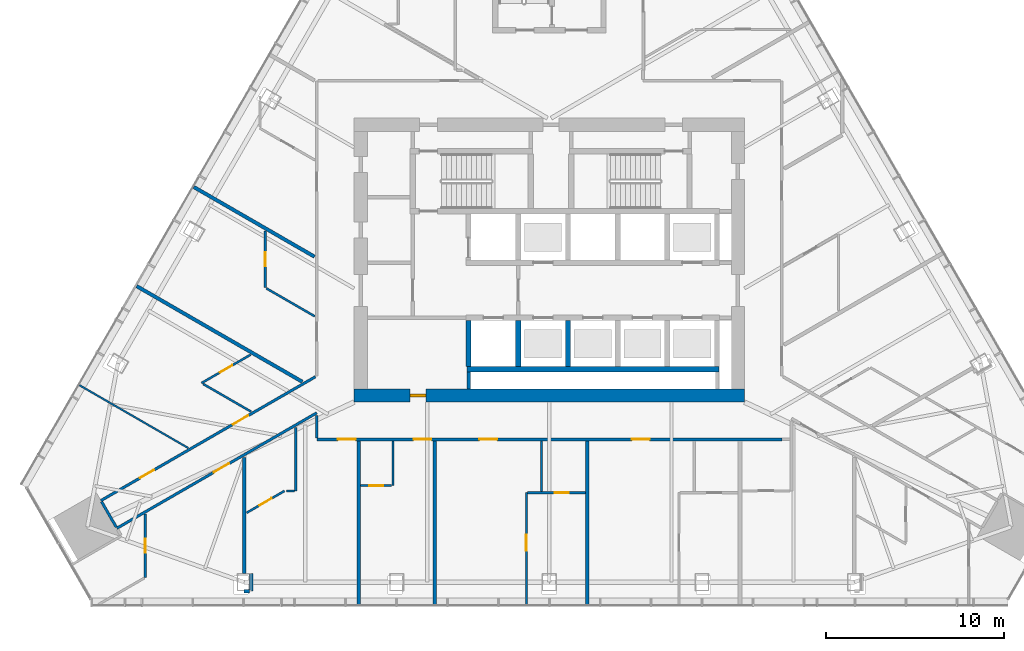
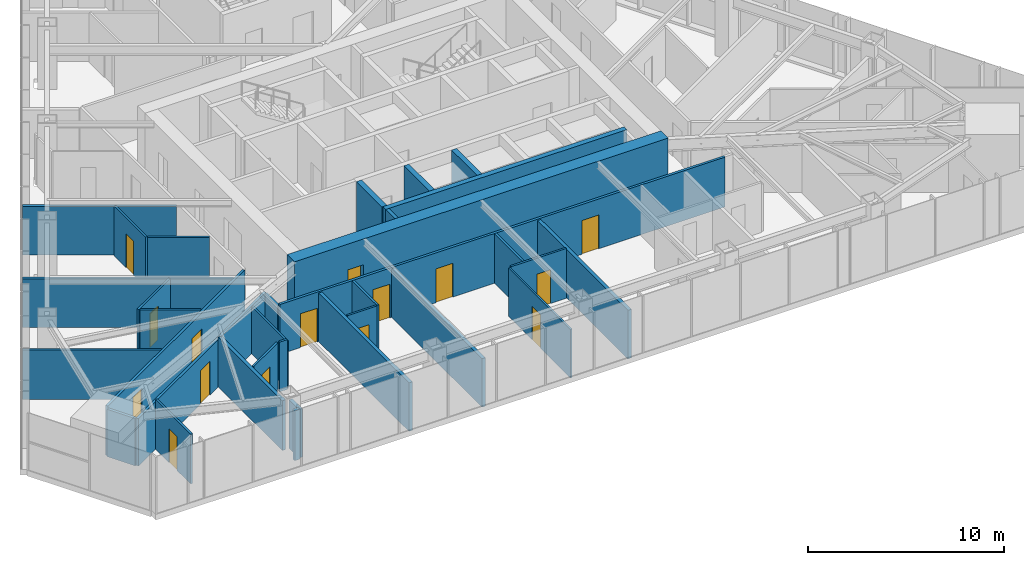
# One storey, part 10 of 16: 33 walls, 15 doors, 15 openings.
"""IFC4 building model written with IfcOpenShell, lengths in metres."""

from ifc_helpers import new_model, si_unit, direction, frame, frame_2d, origin, place, context, subcontext, project, spatial, rectangle, extrude, material, layer, layer_set, type_object, element, fill, save


model = new_model("IFC4")

# Units and contexts
model_context = context("Model", 3, precision=1e-05, world=origin(), true_north=direction((0.0, 1.0)))
body_context = subcontext(model_context, "Body", "Model", "MODEL_VIEW")
ifc_project = project(units=[si_unit("LENGTHUNIT", "METRE"), si_unit("AREAUNIT", "SQUARE_METRE"), si_unit("VOLUMEUNIT", "CUBIC_METRE"), si_unit("PLANEANGLEUNIT", "RADIAN"), si_unit("MASSUNIT", "GRAM", prefix="KILO")], contexts=[model_context])

# Site, building, storey
site_placement = place(None, origin())
site = spatial("IfcSite", under=ifc_project, at=site_placement, CompositionType="ELEMENT")
building_placement = place(site_placement, origin())
building = spatial("IfcBuilding", under=site, at=building_placement, Name="Firuza Gate Tower and Library", CompositionType="ELEMENT")
storey_placement = place(building_placement, frame((0.0, 0.0, 198.699951171875)))
storey = spatial("IfcBuildingStorey", under=building, at=storey_placement, Name="L46", CompositionType="ELEMENT", Elevation=198.699951171875)

# Walls
ifc_material_1 = material(Name="Plasterboard on steel studs", Category="steel")
ifc_layer_1 = layer(ifc_material_1, 0.199951171875)
ifc_layer_set_1 = layer_set([ifc_layer_1], Name="Core partition 200 EI 120")
wall_type_1 = type_object("IfcWallType", Name="Core partition 200 EI 120", PredefinedType="PARTITIONING", material=ifc_layer_set_1)
wall_1_placement = place(storey_placement, frame((70.449951171875, 67.75, 0.0), z_axis=(0.0, 0.0, 1.0), x_axis=(0.0, 1.0, 0.0)))
element("IfcWall", 1, at=wall_1_placement, inside=storey, type_object=wall_type_1, Name="Core partition L46 9", PredefinedType="PARTITIONING", context=body_context, shape_type="SweptSolid", body=[
    extrude(rectangle(XDim=0.949951171875, YDim=0.199951171875, at=frame_2d((0.47509765625, 0.0))), origin(), (0.0, 0.0, 1.0), 3.699951171875),
])
ifc_material_2 = material(Name="Concrete C80/95", Category="concrete")
ifc_layer_2 = layer(ifc_material_2, 0.300048828125)
ifc_layer_set_2 = layer_set([ifc_layer_2], Name="Core wall 300 C80/95")
wall_type_2 = type_object("IfcWallType", Name="Core wall 300 C80/95", PredefinedType="SHEAR", material=ifc_layer_set_2)
wall_2_placement = place(storey_placement, frame((70.35009765625, 68.85009765625, 0.0), z_axis=(0.0, 0.0, 1.0), x_axis=(1.0, 0.0, 0.0)))
element("IfcWall", 2, at=wall_2_placement, inside=storey, type_object=wall_type_2, Name="Core wall L46 5", PredefinedType="SHEAR", context=body_context, shape_type="SweptSolid", body=[
    extrude(rectangle(XDim=14.199951171875, YDim=0.300048828125, at=frame_2d((7.10009765625, 0.0))), origin(), (0.0, 0.0, 1.0), 3.699951171875),
])
for number, where, z_axis, x_axis, name in (
    (3, (70.449951171875, 69.0, 0.0), (0.0, 0.0, 1.0), (0.0, 1.0, 0.0), "Core wall L46 8"),
    (4, (73.25, 69.0, 0.0), (0.0, 0.0, 1.0), (0.0, 1.0, 0.0), "Core wall L46 10"),
    (5, (76.050048828125, 69.0, 0.0), (0.0, 0.0, 1.0), (0.0, 1.0, 0.0), "Core wall L46 12"),
):
    element("IfcWall", number, at=place(storey_placement, frame(where, z_axis=z_axis, x_axis=x_axis)), inside=storey, type_object=wall_type_2, Name=name, PredefinedType="SHEAR", context=body_context, shape_type="SweptSolid", body=[
        extrude(rectangle(XDim=2.60009765625, YDim=0.300048828125, at=frame_2d((1.300048828125, 0.0))), origin(), (0.0, 0.0, 1.0), 3.699951171875),
    ])

# Wall, opening, door
ifc_material_3 = material(Name="Concrete C80/95", Category="concrete")
ifc_layer_3 = layer(ifc_material_3, 0.75)
ifc_layer_set_3 = layer_set([ifc_layer_3], Name="Core wall 750 C80/95")
wall_type_3 = type_object("IfcWallType", Name="Core wall 750 C80/95", PredefinedType="SHEAR", material=ifc_layer_set_3)
wall_3_placement = place(storey_placement, frame((64.0, 67.375, 0.0), z_axis=(0.0, 0.0, 1.0), x_axis=(1.0, 0.0, 0.0)))
wall_3 = element("IfcWall", 6, at=wall_3_placement, inside=storey, type_object=wall_type_3, Name="Core wall L46 1", PredefinedType="SHEAR", context=body_context, shape_type="SweptSolid", body=[
    extrude(rectangle(XDim=22.0, YDim=0.75, at=frame_2d((11.0, 0.0))), origin(), (0.0, 0.0, 1.0), 3.699951171875),
])
opening_1_placement = place(wall_3_placement, frame((3.14990234375, 0.0, 0.0)))
opening_1 = element("IfcOpeningElement", 7, at=opening_1_placement, cuts=wall_3, Name="Opening L46-K22", PredefinedType="OPENING", context=body_context, shape_type="SweptSolid", body=[
    extrude(rectangle(XDim=0.89990234375, YDim=2.10009765625, at=frame_2d((0.449951171875, 1.050048828125))), frame((0.0, 0.385009765625, 0.0), z_axis=(0.0, -1.0, 0.0), x_axis=(1.0, 0.0, 0.0)), (0.0, 0.0, 1.0), 0.77001953125),
])
ifc_material_4 = material(Name="Steel", Category="steel")
door_type_1 = type_object("IfcDoorType", Name="Fire door 900x2100 FD30S", OperationType="NOTDEFINED", PredefinedType="DOOR", material=ifc_material_4)
door_1_placement = place(opening_1_placement, origin())
door_1 = element("IfcDoor", 8, at=door_1_placement, inside=storey, type_object=door_type_1, Name="Door L46-K22", OperationType="SINGLE_SWING_LEFT", OverallHeight=2.10009765625, OverallWidth=0.89990234375, PredefinedType="DOOR", context=body_context, shape_type="SweptSolid", body=[
    extrude(rectangle(XDim=0.89990234375, YDim=2.10009765625, at=frame_2d((0.449951171875, 1.050048828125))), frame((0.0, 0.094970703125, 0.0), z_axis=(0.0, -1.0, 0.0), x_axis=(1.0, 0.0, 0.0)), (0.0, 0.0, 1.0), 0.18994140625),
])
fill(opening_1, door_1)

# Wall, openings, doors
ifc_material_5 = material(Name="Gypsum board partition")
ifc_layer_4 = layer(ifc_material_5, 0.14990234375)
ifc_layer_set_4 = layer_set([ifc_layer_4], Name="Corridor wall 150 double board on steel studs")
wall_type_4 = type_object("IfcWallType", Name="Corridor wall 150 double board on steel studs", PredefinedType="PARTITIONING", material=ifc_layer_set_4)
wall_4_placement = place(storey_placement, frame((88.099609375, 64.89990234375, 0.0), z_axis=(0.0, 0.0, 1.0), x_axis=(-1.0, 0.0, 0.0)))
wall_4 = element("IfcWall", 9, at=wall_4_placement, inside=storey, type_object=wall_type_4, Name="f:L46:w007", PredefinedType="PARTITIONING", context=body_context, shape_type="SweptSolid", body=[
    extrude(rectangle(XDim=26.19970703125, YDim=0.14990234375, at=frame_2d((13.099853515625, 0.0))), origin(), (0.0, 0.0, 1.0), 3.10009765625),
])
opening_2_placement = place(wall_4_placement, frame((7.443359375, 0.0, 0.0)))
opening_2 = element("IfcOpeningElement", 10, at=opening_2_placement, cuts=wall_4, Name="Opening L46-05", PredefinedType="OPENING", context=body_context, shape_type="SweptSolid", body=[
    extrude(rectangle(XDim=1.0, YDim=2.10009765625, at=frame_2d((0.5, 1.050048828125))), frame((0.0, 0.0849609375, 0.0), z_axis=(0.0, -1.0, 0.0), x_axis=(1.0, 0.0, 0.0)), (0.0, 0.0, 1.0), 0.169921875),
])
opening_3_placement = place(wall_4_placement, frame((16.037109375, 0.0, 0.0)))
opening_3 = element("IfcOpeningElement", 11, at=opening_3_placement, cuts=wall_4, Name="Opening L46-06", PredefinedType="OPENING", context=body_context, shape_type="SweptSolid", body=[
    extrude(rectangle(XDim=1.0, YDim=2.10009765625, at=frame_2d((0.5, 1.050048828125))), frame((0.0, 0.0849609375, 0.0), z_axis=(0.0, -1.0, 0.0), x_axis=(1.0, 0.0, 0.0)), (0.0, 0.0, 1.0), 0.169921875),
])
opening_4_placement = place(wall_4_placement, frame((19.747314453125, 0.0, 0.0)))
opening_4 = element("IfcOpeningElement", 12, at=opening_4_placement, cuts=wall_4, Name="Opening L46-07", PredefinedType="OPENING", context=body_context, shape_type="SweptSolid", body=[
    extrude(rectangle(XDim=1.0, YDim=2.10009765625, at=frame_2d((0.5, 1.050048828125))), frame((0.0, 0.0849609375, 0.0), z_axis=(0.0, -1.0, 0.0), x_axis=(1.0, 0.0, 0.0)), (0.0, 0.0, 1.0), 0.169921875),
])
opening_5_placement = place(wall_4_placement, frame((24.0126953125, 0.0, 0.0)))
opening_5 = element("IfcOpeningElement", 13, at=opening_5_placement, cuts=wall_4, Name="Opening L46-08", PredefinedType="OPENING", context=body_context, shape_type="SweptSolid", body=[
    extrude(rectangle(XDim=1.0, YDim=2.10009765625, at=frame_2d((0.5, 1.050048828125))), frame((0.0, 0.0849609375, 0.0), z_axis=(0.0, -1.0, 0.0), x_axis=(1.0, 0.0, 0.0)), (0.0, 0.0, 1.0), 0.169921875),
])
ifc_material_6 = material(Name="Steel door and timber leaf", Category="steel")
door_type_2 = type_object("IfcDoorType", Name="Fire door 1000 x 2100 steel frame, timber leaf", OperationType="NOTDEFINED", PredefinedType="DOOR", material=ifc_material_6)
door_2_placement = place(opening_2_placement, origin())
door_2 = element("IfcDoor", 14, at=door_2_placement, inside=storey, type_object=door_type_2, Name="f:L46:d005", OperationType="SINGLE_SWING_LEFT", OverallHeight=2.10009765625, OverallWidth=1.0, PredefinedType="DOOR", context=body_context, shape_type="SweptSolid", body=[
    extrude(rectangle(XDim=1.0, YDim=2.10009765625, at=frame_2d((0.5, 1.050048828125))), frame((0.0, 0.02490234375, 0.0), z_axis=(0.0, -1.0, 0.0), x_axis=(1.0, 0.0, 0.0)), (0.0, 0.0, 1.0), 0.050048828125),
])
fill(opening_2, door_2)
door_3_placement = place(opening_3_placement, origin())
door_3 = element("IfcDoor", 15, at=door_3_placement, inside=storey, type_object=door_type_2, Name="f:L46:d006", OperationType="SINGLE_SWING_RIGHT", OverallHeight=2.10009765625, OverallWidth=1.0, PredefinedType="DOOR", context=body_context, shape_type="SweptSolid", body=[
    extrude(rectangle(XDim=1.0, YDim=2.10009765625, at=frame_2d((0.5, 1.050048828125))), frame((0.0, 0.02490234375, 0.0), z_axis=(0.0, -1.0, 0.0), x_axis=(1.0, 0.0, 0.0)), (0.0, 0.0, 1.0), 0.050048828125),
])
fill(opening_3, door_3)
door_4_placement = place(opening_4_placement, origin())
door_4 = element("IfcDoor", 16, at=door_4_placement, inside=storey, type_object=door_type_2, Name="f:L46:d007", OperationType="SINGLE_SWING_RIGHT", OverallHeight=2.10009765625, OverallWidth=1.0, PredefinedType="DOOR", context=body_context, shape_type="SweptSolid", body=[
    extrude(rectangle(XDim=1.0, YDim=2.10009765625, at=frame_2d((0.5, 1.050048828125))), frame((0.0, 0.02490234375, 0.0), z_axis=(0.0, -1.0, 0.0), x_axis=(1.0, 0.0, 0.0)), (0.0, 0.0, 1.0), 0.050048828125),
])
fill(opening_4, door_4)
door_5_placement = place(opening_5_placement, origin())
door_5 = element("IfcDoor", 17, at=door_5_placement, inside=storey, type_object=door_type_2, Name="f:L46:d008", OperationType="SINGLE_SWING_RIGHT", OverallHeight=2.10009765625, OverallWidth=1.0, PredefinedType="DOOR", context=body_context, shape_type="SweptSolid", body=[
    extrude(rectangle(XDim=1.0, YDim=2.10009765625, at=frame_2d((0.5, 1.050048828125))), frame((0.0, 0.02490234375, 0.0), z_axis=(0.0, -1.0, 0.0), x_axis=(1.0, 0.0, 0.0)), (0.0, 0.0, 1.0), 0.050048828125),
])
fill(opening_5, door_5)

# Wall, opening, door
wall_5_placement = place(storey_placement, frame((61.89990234375, 66.3974609375, 0.0), z_axis=(0.0, 0.0, 1.0), x_axis=(-0.866028610752, -0.499994445327, 0.0)))
wall_5 = element("IfcWall", 18, at=wall_5_placement, inside=storey, type_object=wall_type_4, Name="f:L46:w028", PredefinedType="PARTITIONING", context=body_context, shape_type="SweptSolid", body=[
    extrude(rectangle(XDim=13.001708984375, YDim=0.14990234375, at=frame_2d((6.5009765625, 0.0))), origin(), (0.0, 0.0, 1.0), 2.947021484375),
])
opening_6_placement = place(wall_5_placement, frame((5.701171875, 0.0, 0.0)))
opening_6 = element("IfcOpeningElement", 19, at=opening_6_placement, cuts=wall_5, Name="Opening L46-16", PredefinedType="OPENING", context=body_context, shape_type="SweptSolid", body=[
    extrude(rectangle(XDim=1.0, YDim=2.10009765625, at=frame_2d((0.5, 1.050048828125))), frame((0.0, 0.0849609375, 0.0), z_axis=(0.0, -1.0, 0.0), x_axis=(1.0, 0.0, 0.0)), (0.0, 0.0, 1.0), 0.169921875),
])
door_6_placement = place(opening_6_placement, origin())
door_6 = element("IfcDoor", 20, at=door_6_placement, inside=storey, type_object=door_type_2, Name="f:L46:d016", OperationType="SINGLE_SWING_RIGHT", OverallHeight=2.10009765625, OverallWidth=1.0, PredefinedType="DOOR", context=body_context, shape_type="SweptSolid", body=[
    extrude(rectangle(XDim=1.0, YDim=2.10009765625, at=frame_2d((0.5, 1.050048828125))), frame((0.0, 0.02490234375, 0.0), z_axis=(0.0, -1.0, 0.0), x_axis=(1.0, 0.0, 0.0)), (0.0, 0.0, 1.0), 0.050048828125),
])
fill(opening_6, door_6)

# Wall, openings, doors
wall_6_placement = place(storey_placement, frame((49.740478515625, 61.455810546875, 0.0), z_axis=(0.0, 0.0, 1.0), x_axis=(0.866030582951, 0.499991029314, 0.0)))
wall_6 = element("IfcWall", 21, at=wall_6_placement, inside=storey, type_object=wall_type_4, Name="f:L46:w029", PredefinedType="PARTITIONING", context=body_context, shape_type="SweptSolid", body=[
    extrude(rectangle(XDim=13.953857421875, YDim=0.14990234375, at=frame_2d((6.97705078125, 0.0))), origin(), (0.0, 0.0, 1.0), 3.10009765625),
])
opening_7_placement = place(wall_6_placement, frame((2.5517578125, 0.0, 0.0)))
opening_7 = element("IfcOpeningElement", 22, at=opening_7_placement, cuts=wall_6, Name="Opening L46-17", PredefinedType="OPENING", context=body_context, shape_type="SweptSolid", body=[
    extrude(rectangle(XDim=0.89990234375, YDim=2.10009765625, at=frame_2d((0.449951171875, 1.050048828125))), frame((0.0, 0.0849609375, 0.0), z_axis=(0.0, -1.0, 0.0), x_axis=(1.0, 0.0, 0.0)), (0.0, 0.0, 1.0), 0.169921875),
])
opening_8_placement = place(wall_6_placement, frame((8.578857421875, 0.0, 0.0)))
opening_8 = element("IfcOpeningElement", 23, at=opening_8_placement, cuts=wall_6, Name="Opening L46-18", PredefinedType="OPENING", context=body_context, shape_type="SweptSolid", body=[
    extrude(rectangle(XDim=1.0, YDim=2.10009765625, at=frame_2d((0.5, 1.050048828125))), frame((0.0, 0.0849609375, 0.0), z_axis=(0.0, -1.0, 0.0), x_axis=(1.0, 0.0, 0.0)), (0.0, 0.0, 1.0), 0.169921875),
])
door_7_placement = place(opening_8_placement, origin())
door_7 = element("IfcDoor", 24, at=door_7_placement, inside=storey, type_object=door_type_2, Name="f:L46:d018", OperationType="SINGLE_SWING_RIGHT", OverallHeight=2.10009765625, OverallWidth=1.0, PredefinedType="DOOR", context=body_context, shape_type="SweptSolid", body=[
    extrude(rectangle(XDim=1.0, YDim=2.10009765625, at=frame_2d((0.5, 1.050048828125))), frame((0.0, 0.02490234375, 0.0), z_axis=(0.0, -1.0, 0.0), x_axis=(1.0, 0.0, 0.0)), (0.0, 0.0, 1.0), 0.050048828125),
])
fill(opening_8, door_7)
ifc_material_7 = material(Name="Steel door and timber leaf", Category="steel")
door_type_3 = type_object("IfcDoorType", Name="Fire door 900 x 2100 steel frame, timber leaf", OperationType="NOTDEFINED", PredefinedType="DOOR", material=ifc_material_7)
door_8_placement = place(opening_7_placement, origin())
door_8 = element("IfcDoor", 25, at=door_8_placement, inside=storey, type_object=door_type_3, Name="f:L46:d017", OperationType="SINGLE_SWING_RIGHT", OverallHeight=2.10009765625, OverallWidth=0.89990234375, PredefinedType="DOOR", context=body_context, shape_type="SweptSolid", body=[
    extrude(rectangle(XDim=0.89990234375, YDim=2.10009765625, at=frame_2d((0.449951171875, 1.050048828125))), frame((0.0, 0.02490234375, 0.0), z_axis=(0.0, -1.0, 0.0), x_axis=(1.0, 0.0, 0.0)), (0.0, 0.0, 1.0), 0.050048828125),
])
fill(opening_7, door_8)

# Walls
wall_7_placement = place(storey_placement, frame((61.89990234375, 64.97509765625, 0.0), z_axis=(0.0, 0.0, 1.0), x_axis=(0.0, 1.0, 0.0)))
element("IfcWall", 26, at=wall_7_placement, inside=storey, type_object=wall_type_4, Name="f:L46:w063", PredefinedType="PARTITIONING", context=body_context, shape_type="SweptSolid", body=[
    extrude(rectangle(XDim=1.285888671875, YDim=0.14990234375, at=frame_2d((0.64306640625, 0.0))), origin(), (0.0, 0.0, 1.0), 2.947021484375),
])
wall_8_placement = place(storey_placement, frame((50.6025390625, 59.961669921875, 0.0), z_axis=(0.0, 0.0, 1.0), x_axis=(-0.499991515992, 0.866030301974, 0.0)))
element("IfcWall", 27, at=wall_8_placement, inside=storey, type_object=wall_type_4, Name="f:L46:w096", PredefinedType="PARTITIONING", context=body_context, shape_type="SweptSolid", body=[
    extrude(rectangle(XDim=1.6494140625, YDim=0.14990234375, at=frame_2d((0.82470703125, 0.0))), origin(), (0.0, 0.0, 1.0), 2.947021484375),
])
ifc_material_8 = material(Name="Gypsum board partition")
ifc_layer_5 = layer(ifc_material_8, 0.199951171875)
ifc_layer_set_5 = layer_set([ifc_layer_5], Name="Demising wall 200 acoustic double stud")
wall_type_5 = type_object("IfcWallType", Name="Demising wall 200 acoustic double stud", PredefinedType="PARTITIONING", material=ifc_layer_set_5)
wall_9_placement = place(storey_placement, frame((57.8125, 56.35791015625, 0.0), z_axis=(0.0, 0.0, 1.0), x_axis=(1.0, 0.0, 0.0)))
element("IfcWall", 28, at=wall_9_placement, inside=storey, type_object=wall_type_5, Name="f:L46:w000", PredefinedType="PARTITIONING", context=body_context, shape_type="SweptSolid", body=[
    extrude(rectangle(XDim=0.300048828125, YDim=0.199951171875, at=frame_2d((0.14990234375, 0.0))), origin(), (0.0, 0.0, 1.0), 3.10009765625),
])
for number, where, z_axis, x_axis, name in (
    (29, (77.14794921875, 55.598388671875, 0.0), (0.0, 0.0, 1.0), (0.0, 1.0, 0.0), "f:L46:w052"),
    (30, (68.554931640625, 55.598388671875, 0.0), (0.0, 0.0, 1.0), (0.0, 1.0, 0.0), "f:L46:w059"),
    (31, (64.258056640625, 55.598388671875, 0.0), (0.0, 0.0, 1.0), (0.0, 1.0, 0.0), "f:L46:w062"),
):
    element("IfcWall", number, at=place(storey_placement, frame(where, z_axis=z_axis, x_axis=x_axis)), inside=storey, type_object=wall_type_5, Name=name, PredefinedType="PARTITIONING", context=body_context, shape_type="SweptSolid", body=[
        extrude(rectangle(XDim=9.2265625, YDim=0.199951171875, at=frame_2d((4.61328125, 0.0))), origin(), (0.0, 0.0, 1.0), 3.02197265625),
    ])
wall_10_placement = place(storey_placement, frame((58.212890625, 56.3583984375, 0.0), z_axis=(0.0, 0.0, 1.0), x_axis=(0.0, 1.0, 0.0)))
element("IfcWall", 32, at=wall_10_placement, inside=storey, type_object=wall_type_5, Name="f:L46:w069", PredefinedType="PARTITIONING", context=body_context, shape_type="SweptSolid", body=[
    extrude(rectangle(XDim=1.0, YDim=0.199951171875, at=frame_2d((0.5, 0.0))), origin(), (0.0, 0.0, 1.0), 3.02197265625),
])
wall_11_placement = place(storey_placement, frame((57.81298828125, 57.3583984375, 0.0), z_axis=(0.0, 0.0, 1.0), x_axis=(0.0, 1.0, 0.0)))
element("IfcWall", 33, at=wall_11_placement, inside=storey, type_object=wall_type_5, Name="f:L46:w070", PredefinedType="PARTITIONING", context=body_context, shape_type="SweptSolid", body=[
    extrude(rectangle(XDim=6.532470703125, YDim=0.199951171875, at=frame_2d((3.26611328125, 0.0))), origin(), (0.0, 0.0, 1.0), 3.10009765625),
])
wall_12_placement = place(storey_placement, frame((61.773193359375, 75.194580078125, 0.0), z_axis=(0.0, 0.0, 1.0), x_axis=(-0.866029689717, 0.499992576473, 0.0)))
element("IfcWall", 34, at=wall_12_placement, inside=storey, type_object=wall_type_5, Name="f:L46:w090", PredefinedType="PARTITIONING", context=body_context, shape_type="SweptSolid", body=[
    extrude(rectangle(XDim=7.849609375, YDim=0.199951171875, at=frame_2d((3.9248046875, 0.0))), origin(), (0.0, 0.0, 1.0), 3.02197265625),
])
wall_13_placement = place(storey_placement, frame((61.082275390625, 68.150146484375, 0.0), z_axis=(0.0, 0.0, 1.0), x_axis=(-0.866015766609, 0.500016691706, 0.0)))
element("IfcWall", 35, at=wall_13_placement, inside=storey, type_object=wall_type_5, Name="f:L46:w092", PredefinedType="PARTITIONING", context=body_context, shape_type="SweptSolid", body=[
    extrude(rectangle(XDim=10.773681640625, YDim=0.199951171875, at=frame_2d((5.38671875, 0.0))), origin(), (0.0, 0.0, 1.0), 3.02197265625),
])

# Wall, opening, door
ifc_material_9 = material(Name="Gypsum board partition")
ifc_layer_6 = layer(ifc_material_9, 0.10009765625)
ifc_layer_set_6 = layer_set([ifc_layer_6], Name="Partition 100 gypsum board on steel studs")
wall_type_6 = type_object("IfcWallType", Name="Partition 100 gypsum board on steel studs", PredefinedType="PARTITIONING", material=ifc_layer_set_6)
wall_14_placement = place(storey_placement, frame((73.7109375, 61.89990234375, 0.0), z_axis=(0.0, 0.0, 1.0), x_axis=(0.0, -1.0, 0.0)))
wall_14 = element("IfcWall", 36, at=wall_14_placement, inside=storey, type_object=wall_type_6, Name="f:L46:w056", PredefinedType="PARTITIONING", context=body_context, shape_type="SweptSolid", body=[
    extrude(rectangle(XDim=6.301513671875, YDim=0.10009765625, at=frame_2d((3.15087890625, 0.0))), origin(), (0.0, 0.0, 1.0), 3.02197265625),
])
opening_9_placement = place(wall_14_placement, frame((2.370849609375, 0.0, 0.0)))
opening_9 = element("IfcOpeningElement", 37, at=opening_9_placement, cuts=wall_14, Name="Opening L46-30", PredefinedType="OPENING", context=body_context, shape_type="SweptSolid", body=[
    extrude(rectangle(XDim=0.89990234375, YDim=2.10009765625, at=frame_2d((0.449951171875, 1.050048828125))), frame((0.0, 0.06005859375, 0.0), z_axis=(0.0, -1.0, 0.0), x_axis=(1.0, 0.0, 0.0)), (0.0, 0.0, 1.0), 0.1201171875),
])
ifc_material_10 = material(Name="Timber door", Category="wood")
door_type_4 = type_object("IfcDoorType", Name="Door 900 x 2100 timber leaf", OperationType="NOTDEFINED", PredefinedType="DOOR", material=ifc_material_10)
door_9_placement = place(opening_9_placement, origin())
door_9 = element("IfcDoor", 38, at=door_9_placement, inside=storey, type_object=door_type_4, Name="f:L46:d030", OperationType="SINGLE_SWING_LEFT", OverallHeight=2.10009765625, OverallWidth=0.89990234375, PredefinedType="DOOR", context=body_context, shape_type="SweptSolid", body=[
    extrude(rectangle(XDim=0.89990234375, YDim=2.10009765625, at=frame_2d((0.449951171875, 1.050048828125))), frame((0.0, 0.02490234375, 0.0), z_axis=(0.0, -1.0, 0.0), x_axis=(1.0, 0.0, 0.0)), (0.0, 0.0, 1.0), 0.050048828125),
])
fill(opening_9, door_9)

# Wall
wall_15_placement = place(storey_placement, frame((54.6630859375, 64.414306640625, 0.0), z_axis=(0.0, 0.0, 1.0), x_axis=(-0.866013364391, 0.500020852261, 0.0)))
element("IfcWall", 39, at=wall_15_placement, inside=storey, type_object=wall_type_6, Name="f:L46:w094", PredefinedType="PARTITIONING", context=body_context, shape_type="SweptSolid", body=[
    extrude(rectangle(XDim=7.082275390625, YDim=0.10009765625, at=frame_2d((3.541015625, 0.0))), origin(), (0.0, 0.0, 1.0), 3.10009765625),
])

# Wall, opening, door
ifc_material_11 = material(Name="Gypsum board partition")
ifc_layer_7 = layer(ifc_material_11, 0.1201171875)
ifc_layer_set_7 = layer_set([ifc_layer_7], Name="Wet-area partition 120 moisture-resistant board")
wall_type_7 = type_object("IfcWallType", Name="Wet-area partition 120 moisture-resistant board", PredefinedType="PARTITIONING", material=ifc_layer_set_7)
wall_16_placement = place(storey_placement, frame((73.77099609375, 61.89990234375, 0.0), z_axis=(0.0, 0.0, 1.0), x_axis=(1.0, 0.0, 0.0)))
wall_16 = element("IfcWall", 40, at=wall_16_placement, inside=storey, type_object=wall_type_7, Name="f:L46:w002", PredefinedType="PARTITIONING", context=body_context, shape_type="SweptSolid", body=[
    extrude(rectangle(XDim=3.267333984375, YDim=0.1201171875, at=frame_2d((1.6337890625, 0.0))), origin(), (0.0, 0.0, 1.0), 3.10009765625),
])
opening_10_placement = place(wall_16_placement, frame((1.533447265625, 0.0, 0.0)))
opening_10 = element("IfcOpeningElement", 41, at=opening_10_placement, cuts=wall_16, Name="Opening L46-01", PredefinedType="OPENING", context=body_context, shape_type="SweptSolid", body=[
    extrude(rectangle(XDim=0.800048828125, YDim=2.10009765625, at=frame_2d((0.39990234375, 1.050048828125))), frame((0.0, 0.070068359375, 0.0), z_axis=(0.0, -1.0, 0.0), x_axis=(1.0, 0.0, 0.0)), (0.0, 0.0, 1.0), 0.14013671875),
])
ifc_material_12 = material(Name="Timber door", Category="wood")
door_type_5 = type_object("IfcDoorType", Name="Door 800 x 2100 timber leaf", OperationType="NOTDEFINED", PredefinedType="DOOR", material=ifc_material_12)
door_10_placement = place(opening_10_placement, origin())
door_10 = element("IfcDoor", 42, at=door_10_placement, inside=storey, type_object=door_type_5, Name="f:L46:d001", OperationType="SINGLE_SWING_LEFT", OverallHeight=2.10009765625, OverallWidth=0.800048828125, PredefinedType="DOOR", context=body_context, shape_type="SweptSolid", body=[
    extrude(rectangle(XDim=0.800048828125, YDim=2.10009765625, at=frame_2d((0.39990234375, 1.050048828125))), frame((0.0, 0.02490234375, 0.0), z_axis=(0.0, -1.0, 0.0), x_axis=(1.0, 0.0, 0.0)), (0.0, 0.0, 1.0), 0.050048828125),
])
fill(opening_10, door_10)

# Wall
wall_17_placement = place(storey_placement, frame((60.203369140625, 62.0, 0.0), z_axis=(0.0, 0.0, 1.0), x_axis=(1.0, 0.0, 0.0)))
element("IfcWall", 43, at=wall_17_placement, inside=storey, type_object=wall_type_7, Name="f:L46:w004", PredefinedType="PARTITIONING", context=body_context, shape_type="SweptSolid", body=[
    extrude(rectangle(XDim=0.449462890625, YDim=0.1201171875, at=frame_2d((0.224609375, 0.0))), origin(), (0.0, 0.0, 1.0), 3.10009765625),
])

# Wall, opening, door
wall_18_placement = place(storey_placement, frame((64.367919921875, 62.300048828125, 0.0), z_axis=(0.0, 0.0, 1.0), x_axis=(1.0, 0.0, 0.0)))
wall_18 = element("IfcWall", 44, at=wall_18_placement, inside=storey, type_object=wall_type_7, Name="f:L46:w006", PredefinedType="PARTITIONING", context=body_context, shape_type="SweptSolid", body=[
    extrude(rectangle(XDim=1.75341796875, YDim=0.1201171875, at=frame_2d((0.876708984375, 0.0))), origin(), (0.0, 0.0, 1.0), 3.10009765625),
])
opening_11_placement = place(wall_18_placement, frame((0.476806640625, 0.0, 0.0)))
opening_11 = element("IfcOpeningElement", 45, at=opening_11_placement, cuts=wall_18, Name="Opening L46-04", PredefinedType="OPENING", context=body_context, shape_type="SweptSolid", body=[
    extrude(rectangle(XDim=0.800048828125, YDim=2.10009765625, at=frame_2d((0.39990234375, 1.050048828125))), frame((0.0, 0.070068359375, 0.0), z_axis=(0.0, -1.0, 0.0), x_axis=(1.0, 0.0, 0.0)), (0.0, 0.0, 1.0), 0.14013671875),
])
door_11_placement = place(opening_11_placement, origin())
door_11 = element("IfcDoor", 46, at=door_11_placement, inside=storey, type_object=door_type_5, Name="f:L46:d004", OperationType="SINGLE_SWING_RIGHT", OverallHeight=2.10009765625, OverallWidth=0.800048828125, PredefinedType="DOOR", context=body_context, shape_type="SweptSolid", body=[
    extrude(rectangle(XDim=0.800048828125, YDim=2.10009765625, at=frame_2d((0.39990234375, 1.050048828125))), frame((0.0, 0.02490234375, 0.0), z_axis=(0.0, -1.0, 0.0), x_axis=(1.0, 0.0, 0.0)), (0.0, 0.0, 1.0), 0.050048828125),
])
fill(opening_11, door_11)

wall_19_placement = place(storey_placement, frame((57.947021484375, 60.766845703125, 0.0), z_axis=(0.0, 0.0, 1.0), x_axis=(0.866060325455, 0.499939509014, 0.0)))
wall_19 = element("IfcWall", 47, at=wall_19_placement, inside=storey, type_object=wall_type_7, Name="f:L46:w025", PredefinedType="PARTITIONING", context=body_context, shape_type="SweptSolid", body=[
    extrude(rectangle(XDim=2.466552734375, YDim=0.1201171875, at=frame_2d((1.2333984375, 0.0))), origin(), (0.0, 0.0, 1.0), 3.10009765625),
])
opening_12_placement = place(wall_19_placement, frame((0.833251953125, 0.0, 0.0)))
opening_12 = element("IfcOpeningElement", 48, at=opening_12_placement, cuts=wall_19, Name="Opening L46-15", PredefinedType="OPENING", context=body_context, shape_type="SweptSolid", body=[
    extrude(rectangle(XDim=0.800048828125, YDim=2.10009765625, at=frame_2d((0.39990234375, 1.050048828125))), frame((0.0, 0.070068359375, 0.0), z_axis=(0.0, -1.0, 0.0), x_axis=(1.0, 0.0, 0.0)), (0.0, 0.0, 1.0), 0.14013671875),
])
door_12_placement = place(opening_12_placement, origin())
door_12 = element("IfcDoor", 49, at=door_12_placement, inside=storey, type_object=door_type_5, Name="f:L46:d015", OperationType="SINGLE_SWING_RIGHT", OverallHeight=2.10009765625, OverallWidth=0.800048828125, PredefinedType="DOOR", context=body_context, shape_type="SweptSolid", body=[
    extrude(rectangle(XDim=0.800048828125, YDim=2.10009765625, at=frame_2d((0.39990234375, 1.050048828125))), frame((0.0, 0.02490234375, 0.0), z_axis=(0.0, -1.0, 0.0), x_axis=(1.0, 0.0, 0.0)), (0.0, 0.0, 1.0), 0.050048828125),
])
fill(opening_12, door_12)

wall_20_placement = place(storey_placement, frame((58.1748046875, 69.673828125, 0.0), z_axis=(0.0, 0.0, 1.0), x_axis=(-0.866051923801, -0.49995406317, 0.0)))
wall_20 = element("IfcWall", 50, at=wall_20_placement, inside=storey, type_object=wall_type_7, Name="f:L46:w031", PredefinedType="PARTITIONING", context=body_context, shape_type="SweptSolid", body=[
    extrude(rectangle(XDim=3.193603515625, YDim=0.1201171875, at=frame_2d((1.5966796875, 0.0))), origin(), (0.0, 0.0, 1.0), 3.10009765625),
])
opening_13_placement = place(wall_20_placement, frame((1.19677734375, 0.0, 0.0)))
opening_13 = element("IfcOpeningElement", 51, at=opening_13_placement, cuts=wall_20, Name="Opening L46-19", PredefinedType="OPENING", context=body_context, shape_type="SweptSolid", body=[
    extrude(rectangle(XDim=0.800048828125, YDim=2.10009765625, at=frame_2d((0.39990234375, 1.050048828125))), frame((0.0, 0.070068359375, 0.0), z_axis=(0.0, -1.0, 0.0), x_axis=(1.0, 0.0, 0.0)), (0.0, 0.0, 1.0), 0.14013671875),
])
door_13_placement = place(opening_13_placement, origin())
door_13 = element("IfcDoor", 52, at=door_13_placement, inside=storey, type_object=door_type_5, Name="f:L46:d019", OperationType="SINGLE_SWING_RIGHT", OverallHeight=2.10009765625, OverallWidth=0.800048828125, PredefinedType="DOOR", context=body_context, shape_type="SweptSolid", body=[
    extrude(rectangle(XDim=0.800048828125, YDim=2.10009765625, at=frame_2d((0.39990234375, 1.050048828125))), frame((0.0, 0.02490234375, 0.0), z_axis=(0.0, -1.0, 0.0), x_axis=(1.0, 0.0, 0.0)), (0.0, 0.0, 1.0), 0.050048828125),
])
fill(opening_13, door_13)

# Walls
wall_21_placement = place(storey_placement, frame((74.570068359375, 61.9599609375, 0.0), z_axis=(0.0, 0.0, 1.0), x_axis=(0.0, 1.0, 0.0)))
element("IfcWall", 53, at=wall_21_placement, inside=storey, type_object=wall_type_7, Name="f:L46:w054", PredefinedType="PARTITIONING", context=body_context, shape_type="SweptSolid", body=[
    extrude(rectangle(XDim=2.864990234375, YDim=0.1201171875, at=frame_2d((1.4326171875, 0.0))), origin(), (0.0, 0.0, 1.0), 3.10009765625),
])
wall_22_placement = place(storey_placement, frame((66.19091796875, 62.300048828125, 0.0), z_axis=(0.0, 0.0, 1.0), x_axis=(0.0, 1.0, 0.0)))
element("IfcWall", 54, at=wall_22_placement, inside=storey, type_object=wall_type_7, Name="f:L46:w061", PredefinedType="PARTITIONING", context=body_context, shape_type="SweptSolid", body=[
    extrude(rectangle(XDim=2.52490234375, YDim=0.1201171875, at=frame_2d((1.262451171875, 0.0))), origin(), (0.0, 0.0, 1.0), 3.10009765625),
])
wall_23_placement = place(storey_placement, frame((60.712890625, 62.0, 0.0), z_axis=(0.0, 0.0, 1.0), x_axis=(0.0, 1.0, 0.0)))
element("IfcWall", 55, at=wall_23_placement, inside=storey, type_object=wall_type_7, Name="f:L46:w065", PredefinedType="PARTITIONING", context=body_context, shape_type="SweptSolid", body=[
    extrude(rectangle(XDim=3.58544921875, YDim=0.1201171875, at=frame_2d((1.792724609375, 0.0))), origin(), (0.0, 0.0, 1.0), 2.947021484375),
])

# Wall, opening, door
wall_24_placement = place(storey_placement, frame((59.0, 76.6396484375, 0.0), z_axis=(0.0, 0.0, 1.0), x_axis=(0.0, -1.0, 0.0)))
wall_24 = element("IfcWall", 56, at=wall_24_placement, inside=storey, type_object=wall_type_7, Name="f:L46:w066", PredefinedType="PARTITIONING", context=body_context, shape_type="SweptSolid", body=[
    extrude(rectangle(XDim=3.193603515625, YDim=0.1201171875, at=frame_2d((1.5966796875, 0.0))), origin(), (0.0, 0.0, 1.0), 3.10009765625),
])
opening_14_placement = place(wall_24_placement, frame((1.19677734375, 0.0, 0.0)))
opening_14 = element("IfcOpeningElement", 57, at=opening_14_placement, cuts=wall_24, Name="Opening L46-35", PredefinedType="OPENING", context=body_context, shape_type="SweptSolid", body=[
    extrude(rectangle(XDim=0.800048828125, YDim=2.10009765625, at=frame_2d((0.39990234375, 1.050048828125))), frame((0.0, 0.070068359375, 0.0), z_axis=(0.0, -1.0, 0.0), x_axis=(1.0, 0.0, 0.0)), (0.0, 0.0, 1.0), 0.14013671875),
])
door_14_placement = place(opening_14_placement, origin())
door_14 = element("IfcDoor", 58, at=door_14_placement, inside=storey, type_object=door_type_5, Name="f:L46:d035", OperationType="SINGLE_SWING_RIGHT", OverallHeight=2.10009765625, OverallWidth=0.800048828125, PredefinedType="DOOR", context=body_context, shape_type="SweptSolid", body=[
    extrude(rectangle(XDim=0.800048828125, YDim=2.10009765625, at=frame_2d((0.39990234375, 1.050048828125))), frame((0.0, 0.02490234375, 0.0), z_axis=(0.0, -1.0, 0.0), x_axis=(1.0, 0.0, 0.0)), (0.0, 0.0, 1.0), 0.050048828125),
])
fill(opening_14, door_14)

wall_25_placement = place(storey_placement, frame((52.239013671875, 57.12451171875, 0.0), z_axis=(0.0, 0.0, 1.0), x_axis=(0.0, 1.0, 0.0)))
wall_25 = element("IfcWall", 59, at=wall_25_placement, inside=storey, type_object=wall_type_7, Name="f:L46:w071", PredefinedType="PARTITIONING", context=body_context, shape_type="SweptSolid", body=[
    extrude(rectangle(XDim=3.568603515625, YDim=0.1201171875, at=frame_2d((1.7841796875, 0.0))), origin(), (0.0, 0.0, 1.0), 3.10009765625),
])
opening_15_placement = place(wall_25_placement, frame((1.38427734375, 0.0, 0.0)))
opening_15 = element("IfcOpeningElement", 60, at=opening_15_placement, cuts=wall_25, Name="Opening L46-36", PredefinedType="OPENING", context=body_context, shape_type="SweptSolid", body=[
    extrude(rectangle(XDim=0.800048828125, YDim=2.10009765625, at=frame_2d((0.39990234375, 1.050048828125))), frame((0.0, 0.070068359375, 0.0), z_axis=(0.0, -1.0, 0.0), x_axis=(1.0, 0.0, 0.0)), (0.0, 0.0, 1.0), 0.14013671875),
])
door_15_placement = place(opening_15_placement, origin())
door_15 = element("IfcDoor", 61, at=door_15_placement, inside=storey, type_object=door_type_5, Name="f:L46:d036", OperationType="SINGLE_SWING_RIGHT", OverallHeight=2.10009765625, OverallWidth=0.800048828125, PredefinedType="DOOR", context=body_context, shape_type="SweptSolid", body=[
    extrude(rectangle(XDim=0.800048828125, YDim=2.10009765625, at=frame_2d((0.39990234375, 1.050048828125))), frame((0.0, 0.02490234375, 0.0), z_axis=(0.0, -1.0, 0.0), x_axis=(1.0, 0.0, 0.0)), (0.0, 0.0, 1.0), 0.050048828125),
])
fill(opening_15, door_15)

# Walls
wall_26_placement = place(storey_placement, frame((61.790283203125, 71.8349609375, 0.0), z_axis=(0.0, 0.0, 1.0), x_axis=(-0.866028267601, 0.499995039691, 0.0)))
element("IfcWall", 62, at=wall_26_placement, inside=storey, type_object=wall_type_7, Name="f:L46:w091", PredefinedType="PARTITIONING", context=body_context, shape_type="SweptSolid", body=[
    extrude(rectangle(XDim=3.15283203125, YDim=0.1201171875, at=frame_2d((1.576416015625, 0.0))), origin(), (0.0, 0.0, 1.0), 3.10009765625),
])
wall_27_placement = place(storey_placement, frame((58.199462890625, 66.466064453125, 0.0), z_axis=(0.0, 0.0, 1.0), x_axis=(-0.866028856698, 0.499994019331, 0.0)))
element("IfcWall", 63, at=wall_27_placement, inside=storey, type_object=wall_type_7, Name="f:L46:w093", PredefinedType="PARTITIONING", context=body_context, shape_type="SweptSolid", body=[
    extrude(rectangle(XDim=3.11279296875, YDim=0.1201171875, at=frame_2d((1.556396484375, 0.0))), origin(), (0.0, 0.0, 1.0), 3.10009765625),
])

save(model, "model.ifc")
